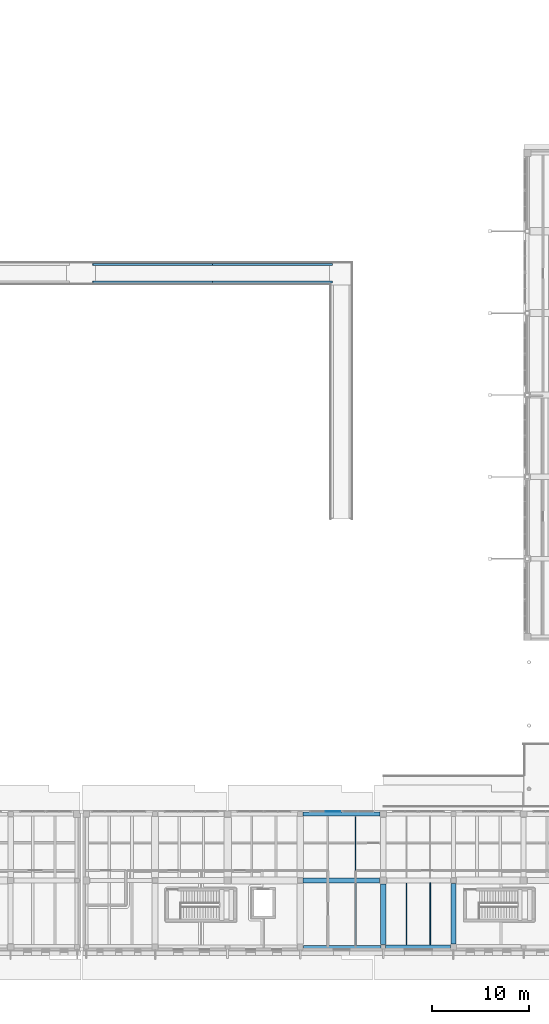
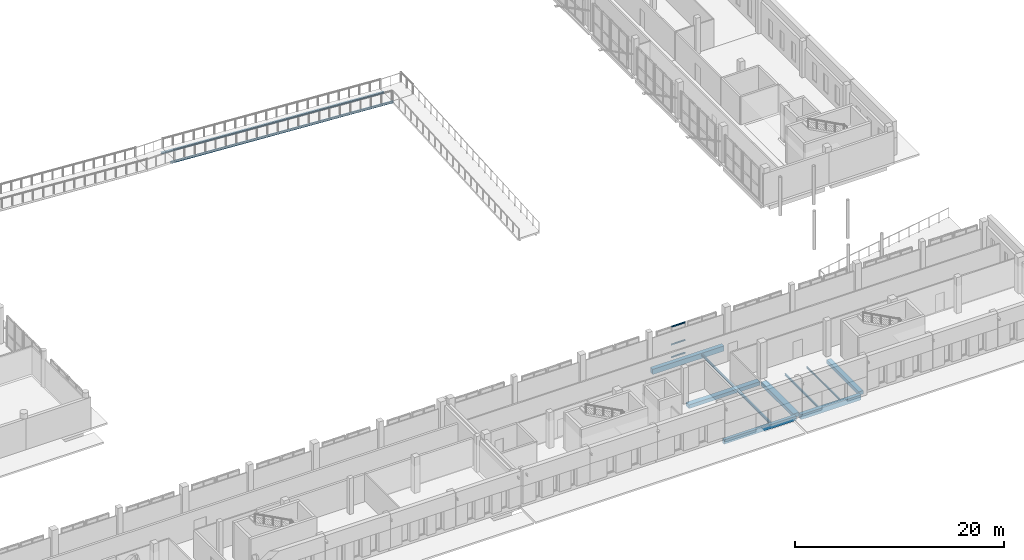
# One storey, part 27 of 77: 14 beams, 3 members, 1 element without a shape of its own.
"""IFC4 building model written with IfcOpenShell, lengths in metres."""

from ifc_helpers import new_model, si_unit, direction, frame, origin, origin_2d, place, context, subcontext, project, spatial, rectangle, i_section, extrude, material, layer, layer_set, material_profile, profile_set, type_object, element, aggregate, save


model = new_model("IFC4")

# Units and contexts
model_context = context("Model", 3, precision=1e-05, world=origin(), true_north=direction((0.0, 1.0)))
body_context = subcontext(model_context, "Body", "Model", "MODEL_VIEW")
ifc_project = project(units=[si_unit("LENGTHUNIT", "METRE"), si_unit("AREAUNIT", "SQUARE_METRE"), si_unit("VOLUMEUNIT", "CUBIC_METRE"), si_unit("PLANEANGLEUNIT", "RADIAN"), si_unit("MASSUNIT", "GRAM", prefix="KILO")], contexts=[model_context])

# Site, building, storey
site_placement = place(None, origin())
site = spatial("IfcSite", under=ifc_project, at=site_placement, CompositionType="ELEMENT")
building_placement = place(site_placement, origin())
building = spatial("IfcBuilding", under=site, at=building_placement, Name="Vardoun Plaza Health Centre", CompositionType="ELEMENT")
storey_placement = place(building_placement, origin())
storey = spatial("IfcBuildingStorey", under=building, at=storey_placement, Name="L00", CompositionType="ELEMENT", Elevation=0.0)

# Beams
ifc_material_1 = material(Name="Concrete C35/45", Category="concrete")
ifc_material_profile_1 = material_profile(ifc_material_1, rectangle(XDim=0.35009765625, YDim=0.5, at=origin_2d()), Name="RC-BM 350x500")
ifc_profile_set_1 = profile_set([ifc_material_profile_1], Name="Concrete C35/45")
beam_type_1 = type_object("IfcBeamType", Name="B-08", PredefinedType="SPANDREL", material=ifc_profile_set_1)
beam_1_placement = place(storey_placement, frame((128.304931640625, 4.8798828125, -0.544921875), z_axis=(1.0, 0.0, 0.0), x_axis=(0.0, 1.0, 0.0)))
element("IfcBeam", 1, at=beam_1_placement, inside=storey, type_object=beam_type_1, Name="V5 L00 Beam B-V5-L00-X10", PredefinedType="SPANDREL", context=body_context, shape_type="SweptSolid", body=[
    extrude(rectangle(XDim=0.35009765625, YDim=0.5, at=origin_2d()), origin(), (0.0, 0.0, 1.0), 7.945068359375),
])
ifc_material_2 = material(Name="Concrete C35/45", Category="concrete")
ifc_material_profile_2 = material_profile(ifc_material_2, rectangle(XDim=0.419921875, YDim=0.580078125, at=origin_2d()), Name="RC-BM 420x580")
ifc_profile_set_2 = profile_set([ifc_material_profile_2], Name="Concrete C35/45")
beam_type_2 = type_object("IfcBeamType", Name="B-10", PredefinedType="SPANDREL", material=ifc_profile_set_2)
beam_2_placement = place(storey_placement, frame((136.75, 4.8798828125, -0.5849609375), z_axis=(1.0, 0.0, 0.0), x_axis=(0.0, 1.0, 0.0)))
element("IfcBeam", 2, at=beam_2_placement, inside=storey, type_object=beam_type_2, Name="V5 L00 Beam B-V5-L00-X13", PredefinedType="SPANDREL", context=body_context, shape_type="SweptSolid", body=[
    extrude(rectangle(XDim=0.419921875, YDim=0.580078125, at=origin_2d()), origin(), (0.0, 0.0, 1.0), 6.625),
])
ifc_material_3 = material(Name="Concrete C35/45", Category="concrete")
ifc_material_profile_3 = material_profile(ifc_material_3, rectangle(XDim=0.449951171875, YDim=0.60009765625, at=origin_2d()), Name="RC-BM 450x600")
ifc_profile_set_3 = profile_set([ifc_material_profile_3], Name="Concrete C35/45")
beam_type_3 = type_object("IfcBeamType", Name="B-11", PredefinedType="SPANDREL", material=ifc_profile_set_3)
beam_3_placement = place(storey_placement, frame((128.2548828125, 18.52001953125, -0.594970703125), z_axis=(1.0, 0.0, 0.0), x_axis=(0.0, 1.0, 0.0)))
element("IfcBeam", 3, at=beam_3_placement, inside=storey, type_object=beam_type_3, Name="V5 L00 Beam B-V5-L00-X12", PredefinedType="SPANDREL", context=body_context, shape_type="SweptSolid", body=[
    extrude(rectangle(XDim=0.449951171875, YDim=0.60009765625, at=origin_2d()), origin(), (0.0, 0.0, 1.0), 7.89501953125),
])
ifc_material_4 = material(Name="Concrete C35/45", Category="concrete")
ifc_material_profile_4 = material_profile(ifc_material_4, rectangle(XDim=0.5, YDim=0.39990234375, at=origin_2d()), Name="RC-BM 500x400")
ifc_profile_set_4 = profile_set([ifc_material_profile_4], Name="Concrete C35/45")
beam_type_4 = type_object("IfcBeamType", Name="B-02", PredefinedType="BEAM", material=ifc_profile_set_4)
beam_4_placement = place(storey_placement, frame((143.699951171875, 5.205078125, -0.4951171875), z_axis=(0.0, 1.0, 0.0), x_axis=(-1.0, 0.0, 0.0)))
element("IfcBeam", 4, at=beam_4_placement, inside=storey, type_object=beam_type_4, Name="V5 L00 Beam B-V5-L00-Y34", PredefinedType="BEAM", context=body_context, shape_type="SweptSolid", body=[
    extrude(rectangle(XDim=0.5, YDim=0.39990234375, at=origin_2d()), origin(), (0.0, 0.0, 1.0), 6.19482421875),
])
ifc_material_5 = material(Name="Concrete C35/45", Category="concrete")
ifc_material_profile_5 = material_profile(ifc_material_5, rectangle(XDim=0.550048828125, YDim=0.419921875, at=origin_2d()), Name="RC-BM 550x420")
ifc_profile_set_5 = profile_set([ifc_material_profile_5], Name="Concrete C35/45")
beam_type_5 = type_object("IfcBeamType", Name="B-03", PredefinedType="BEAM", material=ifc_profile_set_5)
beam_5_placement = place(storey_placement, frame((128.280029296875, 11.699951171875, -0.5048828125), z_axis=(1.0, 0.0, 0.0), x_axis=(0.0, 1.0, 0.0)))
element("IfcBeam", 5, at=beam_5_placement, inside=storey, type_object=beam_type_5, Name="V5 L00 Beam B-V5-L00-X11", PredefinedType="BEAM", context=body_context, shape_type="SweptSolid", body=[
    extrude(rectangle(XDim=0.550048828125, YDim=0.419921875, at=origin_2d()), origin(), (0.0, 0.0, 1.0), 7.844970703125),
])
ifc_material_6 = material(Name="Concrete C35/45", Category="concrete")
ifc_material_profile_6 = material_profile(ifc_material_6, rectangle(XDim=0.60009765625, YDim=0.449951171875, at=origin_2d()), Name="RC-BM 600x450")
ifc_profile_set_6 = profile_set([ifc_material_profile_6], Name="Concrete C35/45")
beam_type_6 = type_object("IfcBeamType", Name="B-04", PredefinedType="BEAM", material=ifc_profile_set_6)
beam_6_placement = place(storey_placement, frame((136.5, 5.1298828125, -0.52001953125), z_axis=(0.0, 1.0, 0.0), x_axis=(-1.0, 0.0, 0.0)))
element("IfcBeam", 6, at=beam_6_placement, inside=storey, type_object=beam_type_6, Name="V5 L00 Beam B-V5-L00-Y32", PredefinedType="BEAM", context=body_context, shape_type="SweptSolid", body=[
    extrude(rectangle(XDim=0.60009765625, YDim=0.449951171875, at=origin_2d()), origin(), (0.0, 0.0, 1.0), 6.195068359375),
])
ifc_material_7 = material(Name="Steel S355J2", Category="steel")
ifc_material_profile_7 = material_profile(ifc_material_7, i_section(OverallWidth=0.199951171875, OverallDepth=0.18994140625, WebThickness=0.006591796875, FlangeThickness=0.010009765625, FilletRadius=0.01806640625, at=origin_2d()), Name="HEA 200")
ifc_profile_set_7 = profile_set([ifc_material_profile_7], Name="Steel S355J2")
beam_type_7 = type_object("IfcBeamType", Name="SB-09", PredefinedType="BEAM", material=ifc_profile_set_7)
for number, where, z_axis, x_axis, name in (
    (7, (106.699951171875, 73.10009765625, -1.820068359375), (0.998146170067, 0.0, -0.060862329736), (0.0, 1.0, 0.0), "Ramp AR-02 Stringer West S"),
    (8, (119.0, 73.10009765625, -2.570068359375), (0.998146170067, 0.0, -0.060862329736), (0.0, 1.0, 0.0), "Ramp AR-02 Stringer East S"),
    (9, (106.699951171875, 74.900146484375, -1.820068359375), (0.998146170067, 0.0, -0.060862329736), (0.0, 1.0, 0.0), "Ramp AR-02 Stringer West N"),
    (10, (119.0, 74.900146484375, -2.570068359375), (0.998146170067, 0.0, -0.060862329736), (0.0, 1.0, 0.0), "Ramp AR-02 Stringer East N"),
):
    element("IfcBeam", number, at=place(storey_placement, frame(where, z_axis=z_axis, x_axis=x_axis)), inside=storey, type_object=beam_type_7, Name=name, PredefinedType="BEAM", context=body_context, shape_type="SweptSolid", body=[
        extrude(i_section(OverallWidth=0.199951171875, OverallDepth=0.18994140625, WebThickness=0.006591796875, FlangeThickness=0.010009765625, FilletRadius=0.01806640625, at=origin_2d()), origin(), (0.0, 0.0, 1.0), 12.322998046875),
    ])
ifc_material_8 = material(Name="Steel S355J2", Category="steel")
ifc_material_profile_8 = material_profile(ifc_material_8, i_section(OverallWidth=0.10009765625, OverallDepth=0.199951171875, WebThickness=0.005615234375, FlangeThickness=0.008544921875, FilletRadius=0.011962890625, at=origin_2d()), Name="IPE 200")
ifc_profile_set_8 = profile_set([ifc_material_profile_8], Name="Steel S355J2")
beam_type_8 = type_object("IfcBeamType", Name="SB-19", PredefinedType="SPANDREL", material=ifc_profile_set_8)
beam_7_placement = place(storey_placement, frame((141.30029296875, 5.090087890625, -0.39501953125), z_axis=(0.0, 1.0, 0.0), x_axis=(-1.0, 0.0, 0.0)))
element("IfcBeam", 11, at=beam_7_placement, inside=storey, type_object=beam_type_8, Name="V5 L00 Secondary Floor Beam SJ-V5-L00-15", PredefinedType="SPANDREL", context=body_context, shape_type="SweptSolid", body=[
    extrude(i_section(OverallWidth=0.10009765625, OverallDepth=0.199951171875, WebThickness=0.005615234375, FlangeThickness=0.008544921875, FilletRadius=0.011962890625, at=origin_2d()), origin(), (0.0, 0.0, 1.0), 6.35986328125),
])
ifc_material_9 = material(Name="Steel S355J2", Category="steel")
ifc_material_profile_9 = material_profile(ifc_material_9, i_section(OverallWidth=0.1201171875, OverallDepth=0.239990234375, WebThickness=0.006103515625, FlangeThickness=0.009765625, FilletRadius=0.014892578125, at=origin_2d()), Name="IPE 240")
ifc_profile_set_9 = profile_set([ifc_material_profile_9], Name="Steel S355J2")
beam_type_9 = type_object("IfcBeamType", Name="SB-17", PredefinedType="JOIST", material=ifc_profile_set_9)
beam_8_placement = place(storey_placement, frame((138.89990234375, 5.090087890625, -0.4150390625), z_axis=(0.0, 1.0, 0.0), x_axis=(-1.0, 0.0, 0.0)))
element("IfcBeam", 12, at=beam_8_placement, inside=storey, type_object=beam_type_9, Name="V5 L00 Secondary Floor Beam SJ-V5-L00-13", PredefinedType="JOIST", context=body_context, shape_type="SweptSolid", body=[
    extrude(i_section(OverallWidth=0.1201171875, OverallDepth=0.239990234375, WebThickness=0.006103515625, FlangeThickness=0.009765625, FilletRadius=0.014892578125, at=origin_2d()), origin(), (0.0, 0.0, 1.0), 6.35986328125),
])
ifc_material_10 = material(Name="Steel S355J2", Category="steel")
ifc_material_profile_10 = material_profile(ifc_material_10, i_section(OverallWidth=0.135009765625, OverallDepth=0.27001953125, WebThickness=0.006591796875, FlangeThickness=0.01025390625, FilletRadius=0.014892578125, at=origin_2d()), Name="IPE 270")
ifc_profile_set_10 = profile_set([ifc_material_profile_10], Name="Steel S355J2")
beam_type_10 = type_object("IfcBeamType", Name="SB-16", PredefinedType="JOIST", material=ifc_profile_set_10)
beam_9_placement = place(storey_placement, frame((133.660400390625, 11.97509765625, -0.429931640625), z_axis=(0.0, 1.0, 0.0), x_axis=(-1.0, 0.0, 0.0)))
element("IfcBeam", 13, at=beam_9_placement, inside=storey, type_object=beam_type_10, Name="V5 L00 Secondary Floor Beam SJ-V5-L00-12", PredefinedType="JOIST", context=body_context, shape_type="SweptSolid", body=[
    extrude(i_section(OverallWidth=0.135009765625, OverallDepth=0.27001953125, WebThickness=0.006591796875, FlangeThickness=0.01025390625, FilletRadius=0.014892578125, at=origin_2d()), origin(), (0.0, 0.0, 1.0), 6.31982421875),
])
ifc_material_11 = material(Name="Steel S355J2", Category="steel")
ifc_material_profile_11 = material_profile(ifc_material_11, i_section(OverallWidth=0.14990234375, OverallDepth=0.300048828125, WebThickness=0.007080078125, FlangeThickness=0.0107421875, FilletRadius=0.014892578125, at=origin_2d()), Name="IPE 300")
ifc_profile_set_11 = profile_set([ifc_material_profile_11], Name="Steel S355J2")
beam_type_11 = type_object("IfcBeamType", Name="SB-15", PredefinedType="JOIST", material=ifc_profile_set_11)
beam_10_placement = place(storey_placement, frame((133.660400390625, 5.054931640625, -0.445068359375), z_axis=(0.0, 1.0, 0.0), x_axis=(-1.0, 0.0, 0.0)))
element("IfcBeam", 14, at=beam_10_placement, inside=storey, type_object=beam_type_11, Name="V5 L00 Secondary Floor Beam SJ-V5-L00-11", PredefinedType="JOIST", context=body_context, shape_type="SweptSolid", body=[
    extrude(i_section(OverallWidth=0.14990234375, OverallDepth=0.300048828125, WebThickness=0.007080078125, FlangeThickness=0.0107421875, FilletRadius=0.014892578125, at=origin_2d()), origin(), (0.0, 0.0, 1.0), 6.3701171875),
])

# Curtain wall, members
ifc_material_12 = material(Name="Aluminium Alloy EN AW-6063-T6 and Low-E Glass", Category="aluminium")
ifc_layer = layer(ifc_material_12, 0.14990234375)
ifc_layer_set = layer_set([ifc_layer], Name="Aluminium Alloy EN AW-6063-T6 and Low-E Glass")
curtain_wall_type = type_object("IfcCurtainWallType", Name="CW-03", PredefinedType="NOTDEFINED", material=ifc_layer_set)
curtain_wall_placement = place(storey_placement, origin())
curtain_wall = element("IfcCurtainWall", 15, at=curtain_wall_placement, inside=storey, type_object=curtain_wall_type, Name="Curtain Wall CW-V5-139", PredefinedType="NOTDEFINED")
ifc_material_13 = material(Name="Aluminium Alloy EN AW-6063-T6", Category="aluminium")
ifc_material_profile_12 = material_profile(ifc_material_13, rectangle(XDim=0.06005859375, YDim=0.1201171875, at=origin_2d()), Name="CWT 60x120")
ifc_profile_set_12 = profile_set([ifc_material_profile_12], Name="Aluminium Alloy EN AW-6063-T6")
member_type = type_object("IfcMemberType", Name="CW-T1", PredefinedType="USERDEFINED", material=ifc_profile_set_12)
member_1_placement = place(storey_placement, frame((130.580078125, 18.780029296875, 0.030029296875), z_axis=(1.0, 0.0, 0.0), x_axis=(0.0, 1.0, 0.0)))
member_1 = element("IfcMember", 16, at=member_1_placement, type_object=member_type, Name="CW-V5-139 transom 2.1", ObjectType="TRANSOM", PredefinedType="USERDEFINED", context=body_context, shape_type="SweptSolid", body=[
    extrude(rectangle(XDim=0.06005859375, YDim=0.1201171875, at=origin_2d()), origin(), (0.0, 0.0, 1.0), 1.52001953125),
])
member_2_placement = place(storey_placement, frame((130.580078125, 18.780029296875, 1.51611328125), z_axis=(1.0, 0.0, 0.0), x_axis=(0.0, 1.0, 0.0)))
member_2 = element("IfcMember", 17, at=member_2_placement, type_object=member_type, Name="CW-V5-139 transom 2.2", ObjectType="TRANSOM", PredefinedType="USERDEFINED", context=body_context, shape_type="SweptSolid", body=[
    extrude(rectangle(XDim=0.06005859375, YDim=0.1201171875, at=origin_2d()), origin(), (0.0, 0.0, 1.0), 1.52001953125),
])
member_3_placement = place(storey_placement, frame((130.580078125, 18.780029296875, 3.580078125), z_axis=(1.0, 0.0, 0.0), x_axis=(0.0, 1.0, 0.0)))
member_3 = element("IfcMember", 18, at=member_3_placement, type_object=member_type, Name="CW-V5-139 transom 2.3", ObjectType="TRANSOM", PredefinedType="USERDEFINED", context=body_context, shape_type="SweptSolid", body=[
    extrude(rectangle(XDim=0.06005859375, YDim=0.1201171875, at=origin_2d()), origin(), (0.0, 0.0, 1.0), 1.52001953125),
])
aggregate(curtain_wall, [member_1, member_2, member_3])

save(model, "model.ifc")
